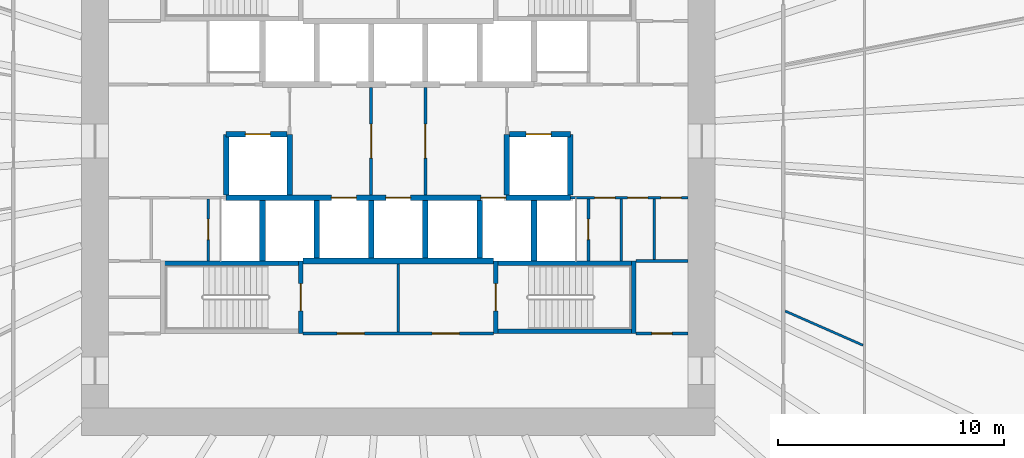
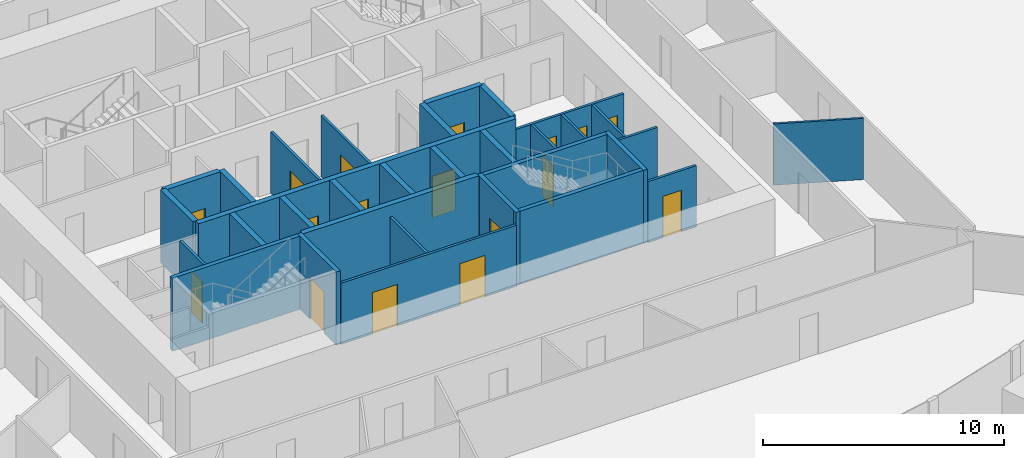
# One storey, part 7 of 11: 32 walls, 17 doors, 17 openings.
"""IFC4 building model written with IfcOpenShell, lengths in metres."""

import ifcopenshell
import ifcopenshell.guid

model = None  # the IFC model being written
_history = None  # IfcOwnerHistory: only IFC2X3 demands one
_inside = {}  # id of a spatial element -> (the spatial element, [elements in it])
_under = {}  # id of a project, library or spatial element -> (it, [spatial elements below it])
_declared = {}  # id of a project -> (the project, [libraries it declares])
_typed = {}  # id of a type object -> (the type object, [elements of that type])
_made_of = {}  # id of a material, layer set ... -> (it, [elements and type objects made of it])


def new_model(schema):
    """Start an empty IFC model of exactly this schema.

    Asked for "IFC4X3", IfcOpenShell would pick the latest addendum, in which some entities
    have other attributes; the version numbers below select the first issue.
    IFC2X3 requires an IfcOwnerHistory on every rooted entity: one is made here for all.
    """
    global model, _history
    if schema == "IFC4X3":
        model = ifcopenshell.file(schema_version=(4, 3, 0, 0))
    else:
        model = ifcopenshell.file(schema=schema)
    _inside.clear()
    _under.clear()
    _declared.clear()
    _typed.clear()
    _made_of.clear()
    _history = None
    if model.schema == "IFC2X3":
        org = make("IfcOrganization", Name="unknown")
        user = make(
            "IfcPersonAndOrganization",
            ThePerson=make("IfcPerson", FamilyName="unknown"),
            TheOrganization=org,
        )
        app = make(
            "IfcApplication",
            ApplicationDeveloper=org,
            Version="unknown",
            ApplicationFullName="unknown",
            ApplicationIdentifier="unknown",
        )
        _history = make(
            "IfcOwnerHistory",
            OwningUser=user,
            OwningApplication=app,
            ChangeAction="ADDED",
            CreationDate=0,
        )
    return model


def make(cls, **values):
    """One entity of the class cls with the attributes given. An attribute that is None is left unset."""
    return model.create_entity(
        cls, **{name: value for name, value in values.items() if value is not None}
    )


def rooted(cls, **values):
    """An entity with a GlobalId (a new one), such as an element, a storey or a relation."""
    return make(cls, GlobalId=ifcopenshell.guid.new(), OwnerHistory=_history, **values)


def si_unit(unit_type, name, prefix=None):
    """IfcSIUnit, for example si_unit("LENGTHUNIT", "METRE", prefix="MILLI")."""
    return make("IfcSIUnit", UnitType=unit_type, Prefix=prefix, Name=name)


def assignment(units):
    """IfcUnitAssignment: the units of a project."""
    return None if units is None else make("IfcUnitAssignment", Units=units)


def point(xyz):
    """IfcCartesianPoint."""
    return None if xyz is None else make("IfcCartesianPoint", Coordinates=xyz)


def direction(xyz):
    """IfcDirection."""
    return None if xyz is None else make("IfcDirection", DirectionRatios=xyz)


def frame(location, z_axis=None, x_axis=None):
    """IfcAxis2Placement3D, a coordinate frame: its origin and axes. An axis left out is left unset."""
    return make(
        "IfcAxis2Placement3D",
        Location=point(location),
        Axis=direction(z_axis),
        RefDirection=direction(x_axis),
    )


def frame_2d(location, x_axis=None):
    """IfcAxis2Placement2D, a coordinate frame in the plane: its origin and x axis."""
    return make(
        "IfcAxis2Placement2D", Location=point(location), RefDirection=direction(x_axis)
    )


def origin():
    """The frame at (0, 0, 0) with its axes left unset."""
    return frame((0.0, 0.0, 0.0))


def place(relative_to, where):
    """IfcLocalPlacement: puts the frame where relative to a parent placement (None: the world)."""
    return make(
        "IfcLocalPlacement", PlacementRelTo=relative_to, RelativePlacement=where
    )


def context(
    kind, dimensions, precision=None, world=None, true_north=None, identifier=None
):
    """IfcGeometricRepresentationContext, for example the 3D "Model" context."""
    return make(
        "IfcGeometricRepresentationContext",
        ContextIdentifier=identifier,
        ContextType=kind,
        CoordinateSpaceDimension=dimensions,
        Precision=precision,
        WorldCoordinateSystem=world,
        TrueNorth=true_north,
    )


def subcontext(parent, identifier, kind, view, scale=None):
    """IfcGeometricRepresentationSubContext, for example "Body" below "Model"."""
    return make(
        "IfcGeometricRepresentationSubContext",
        ContextIdentifier=identifier,
        ContextType=kind,
        ParentContext=parent,
        TargetScale=scale,
        TargetView=view,
    )


def project(units=None, contexts=None):
    """IfcProject with its units and contexts."""
    return rooted(
        "IfcProject",
        Name="project",
        RepresentationContexts=contexts,
        UnitsInContext=assignment(units),
    )


def spatial(cls, under=None, at=None, **own):
    """A site, building, storey or space (cls), placed at a placement, below another one or the project."""
    s = rooted(cls, ObjectPlacement=at, **own)
    if under is not None:
        _under.setdefault(under.id(), (under, []))[1].append(s)
    return s


def profile(cls, at=None, kind="AREA", **sizes):
    """A parametric profile (cls). Its sizes go by their IFC names, for example OverallWidth=200.0."""
    return make(cls, ProfileType=kind, Position=at, **sizes)


def rectangle(**sizes):
    """IfcRectangleProfileDef."""
    return profile("IfcRectangleProfileDef", **sizes)


def extrude(swept, where, along, depth):
    """IfcExtrudedAreaSolid: the profile swept, set in the frame where, extruded along a direction by depth."""
    return make(
        "IfcExtrudedAreaSolid",
        SweptArea=swept,
        Position=where,
        ExtrudedDirection=direction(along),
        Depth=depth,
    )


def shape(context_of_items, identifier, shape_type, items):
    """IfcShapeRepresentation: the items that make up one representation, for example the "Body"."""
    return make(
        "IfcShapeRepresentation",
        ContextOfItems=context_of_items,
        RepresentationIdentifier=identifier,
        RepresentationType=shape_type,
        Items=items,
    )


def source(mapping_origin, context_of_items, identifier, shape_type, items):
    """IfcRepresentationMap: a shape defined once, which mapped items show again and again."""
    return make(
        "IfcRepresentationMap",
        MappingOrigin=mapping_origin,
        MappedRepresentation=shape(context_of_items, identifier, shape_type, items),
    )


def transform(
    local_origin,
    x_axis=None,
    y_axis=None,
    z_axis=None,
    scale=None,
    scale2=None,
    scale3=None,
    uniform=True,
):
    """IfcCartesianTransformationOperator3D, or its non-uniform kind. x_axis, y_axis, z_axis: its Axis1, 2, 3."""
    if uniform:
        return make(
            "IfcCartesianTransformationOperator3D",
            Axis1=direction(x_axis),
            Axis2=direction(y_axis),
            LocalOrigin=point(local_origin),
            Scale=scale,
            Axis3=direction(z_axis),
        )
    return make(
        "IfcCartesianTransformationOperator3DnonUniform",
        Axis1=direction(x_axis),
        Axis2=direction(y_axis),
        LocalOrigin=point(local_origin),
        Scale=scale,
        Axis3=direction(z_axis),
        Scale2=scale2,
        Scale3=scale3,
    )


def mapped(mapping_source, mapping_target):
    """IfcMappedItem: shows the shape of a source again, moved by a transform."""
    return make(
        "IfcMappedItem", MappingSource=mapping_source, MappingTarget=mapping_target
    )


def material(Name=None, Category=None):
    """IfcMaterial."""
    return make("IfcMaterial", Name=Name, Category=Category)


def layer(
    of_material, thickness, ventilated=None, Name=None, Category=None, Priority=None
):
    """IfcMaterialLayer: one layer of a wall or slab, of a material (None: an air gap)."""
    return make(
        "IfcMaterialLayer",
        Material=of_material,
        LayerThickness=thickness,
        IsVentilated=ventilated,
        Name=Name,
        Category=Category,
        Priority=Priority,
    )


def layer_set(layers, Name=None):
    """IfcMaterialLayerSet."""
    return make("IfcMaterialLayerSet", MaterialLayers=layers, LayerSetName=Name)


def made_of(thing, what):
    """Note that an element or type object is made of a material, layer set ...; save() writes the relation."""
    if what is not None:
        _made_of.setdefault(what.id(), (what, []))[1].append(thing)
    return thing


def type_object(cls, material=None, **own):
    """A type object (cls), such as IfcWallType, which elements share."""
    return made_of(rooted(cls, **own), material)


def element(
    cls,
    number,
    at=None,
    inside=None,
    cuts=None,
    type_object=None,
    material=None,
    context=None,
    identifier="Body",
    shape_type=None,
    held_by="IfcProductDefinitionShape",
    body=None,
    shapes=None,
    **own,
):
    """One element of the class cls, such as IfcWall. Its Tag is "e" and its number.

    at: its placement. inside: the storey or other place that contains it. cuts: it is an
    opening in that element (IfcRelVoidsElement). A single representation is given by context,
    identifier, shape_type and body (its items); several are given by shapes. held_by: the class
    of the entity that holds the representations. save() writes the other relations.
    """
    e = rooted(cls, Tag="e%d" % number, ObjectPlacement=at, **own)
    if body is not None:
        shapes = [shape(context, identifier, shape_type, body)]
    if shapes is not None:
        e.Representation = make(held_by, Representations=shapes)
    if inside is not None:
        _inside.setdefault(inside.id(), (inside, []))[1].append(e)
    if cuts is not None:
        rooted(
            "IfcRelVoidsElement", RelatingBuildingElement=cuts, RelatedOpeningElement=e
        )
    if type_object is not None:
        _typed.setdefault(type_object.id(), (type_object, []))[1].append(e)
    return made_of(e, material)


def fill(opening, filler):
    """IfcRelFillsElement: the door or window that sits in an opening."""
    return rooted(
        "IfcRelFillsElement",
        RelatingOpeningElement=opening,
        RelatedBuildingElement=filler,
    )


def aggregate(whole, parts):
    """IfcRelAggregates: a whole, such as a stair, and the parts it consists of."""
    return rooted("IfcRelAggregates", RelatingObject=whole, RelatedObjects=parts)


def save(model, path):
    """Write the relations noted so far, then the file.

    IfcRelAggregates (storeys below a building ...), IfcRelContainedInSpatialStructure (elements
    in a storey), IfcRelDefinesByType, IfcRelAssociatesMaterial and IfcRelDeclares: one each for
    every whole, place, type object, material and project.
    """
    for whole, parts in _under.values():
        aggregate(whole, parts)
    for where, things in _inside.values():
        rooted(
            "IfcRelContainedInSpatialStructure",
            RelatedElements=things,
            RelatingStructure=where,
        )
    for kind, things in _typed.values():
        rooted("IfcRelDefinesByType", RelatedObjects=things, RelatingType=kind)
    for what, things in _made_of.values():
        rooted("IfcRelAssociatesMaterial", RelatedObjects=things, RelatingMaterial=what)
    for by, libraries in _declared.values():
        rooted("IfcRelDeclares", RelatingContext=by, RelatedDefinitions=libraries)
    model.write(path)


model = new_model("IFC4")

# Units and contexts
model_context = context("Model", 3, precision=1e-05, world=origin(), true_north=direction((0.0, 1.0)))
body_context = subcontext(model_context, "Body", "Model", "MODEL_VIEW")
ifc_project = project(units=[si_unit("LENGTHUNIT", "METRE"), si_unit("AREAUNIT", "SQUARE_METRE"), si_unit("VOLUMEUNIT", "CUBIC_METRE"), si_unit("PLANEANGLEUNIT", "RADIAN"), si_unit("MASSUNIT", "GRAM", prefix="KILO")], contexts=[model_context])

# Site, building, storey
site_placement = place(None, origin())
site = spatial("IfcSite", under=ifc_project, at=site_placement, CompositionType="ELEMENT")
building_placement = place(site_placement, origin())
building = spatial("IfcBuilding", under=site, at=building_placement, Name="Embergate Tower", CompositionType="ELEMENT")
storey_placement = place(building_placement, frame((0.0, 0.0, 58.10009765625)))
storey = spatial("IfcBuildingStorey", under=building, at=storey_placement, Name="L10", CompositionType="ELEMENT", Elevation=58.10009765625)

# Walls
ifc_material_1 = material(Name="Concrete C50", Category="concrete")
ifc_layer_1 = layer(ifc_material_1, 0.25)
ifc_layer_set_1 = layer_set([ifc_layer_1], Name="Concrete C50")
wall_type_1 = type_object("IfcWallType", Name="Hoistway wall reinforced concrete 250", PredefinedType="SHEAR", material=ifc_layer_set_1)
shared_shape_1 = source(origin(), body_context, "Body", "SweptSolid", [
    extrude(rectangle(XDim=2.675048828125, YDim=0.25, at=frame_2d((1.33740234375, 0.0))), origin(), (0.0, 0.0, 1.0), 3.699951171875),
])
for number, where, z_axis, x_axis, name in (
    (1, (-6.0, -5.300048828125, 0.0), (0.0, 0.0, 1.0), (0.0, 1.0, 0.0), "HW-1 wall"),
    (2, (6.0, -5.300048828125, 0.0), (0.0, 0.0, 1.0), (0.0, 1.0, 0.0), "HW-1 wall"),
    (3, (-4.800048828125, 0.300048828125, 0.0), (0.0, 0.0, 1.0), (0.0, -1.0, 0.0), "HW-1 wall"),
    (4, (4.800048828125, -2.375, 0.0), (0.0, 0.0, 1.0), (0.0, 1.0, 0.0), "HW-1 wall"),
):
    element("IfcWall", number, at=place(storey_placement, frame(where, z_axis=z_axis, x_axis=x_axis)), inside=storey, type_object=wall_type_1, Name=name, PredefinedType="SHEAR", context=body_context, shape_type="MappedRepresentation", body=[
        mapped(shared_shape_1, transform((0.0, 0.0, 0.0))),
    ])

# Wall, opening, door
wall_1_placement = place(storey_placement, frame((-4.925048828125, 0.300048828125, 0.0), z_axis=(0.0, 0.0, 1.0), x_axis=(-1.0, 0.0, 0.0)))
wall_1 = element("IfcWall", 5, at=wall_1_placement, inside=storey, type_object=wall_type_1, Name="HW-1 wall", PredefinedType="SHEAR", context=body_context, shape_type="MappedRepresentation", body=[
    mapped(shared_shape_1, transform((0.0, 0.0, 0.0))),
])
shared_shape_2 = source(origin(), body_context, "Body", "SweptSolid", [
    extrude(rectangle(XDim=1.10009765625, YDim=2.10009765625, at=frame_2d((0.550048828125, 1.050048828125))), frame((0.0, 0.135009765625, 0.0), z_axis=(0.0, -1.0, 0.0), x_axis=(1.0, 0.0, 0.0)), (0.0, 0.0, 1.0), 0.27001953125),
])
opening_1_placement = place(wall_1_placement, frame((0.72509765625, 0.0, 0.0)))
opening_1 = element("IfcOpeningElement", 6, at=opening_1_placement, cuts=wall_1, Name="Opening LD", PredefinedType="OPENING", context=body_context, shape_type="MappedRepresentation", body=[
    mapped(shared_shape_2, transform((0.0, 0.0, 0.0))),
])
ifc_material_2 = material(Name="Landing door sliding 1100")
door_type_1 = type_object("IfcDoorType", Name="Landing door sliding 1100", OperationType="SLIDING_TO_LEFT", PredefinedType="DOOR", material=ifc_material_2)
shared_shape_3 = source(origin(), body_context, "Body", "SweptSolid", [
    extrude(rectangle(XDim=1.10009765625, YDim=2.10009765625, at=frame_2d((0.550048828125, 1.050048828125))), frame((0.0, 0.02490234375, 0.0), z_axis=(0.0, -1.0, 0.0), x_axis=(1.0, 0.0, 0.0)), (0.0, 0.0, 1.0), 0.050048828125),
])
door_1_placement = place(opening_1_placement, origin())
door_1 = element("IfcDoor", 7, at=door_1_placement, inside=storey, type_object=door_type_1, Name="LD door", OperationType="SLIDING_TO_LEFT", OverallHeight=2.10009765625, OverallWidth=1.10009765625, PredefinedType="DOOR", context=body_context, shape_type="MappedRepresentation", body=[
    mapped(shared_shape_3, transform((0.0, 0.0, 0.0))),
])
fill(opening_1, door_1)

# Wall
wall_2_placement = place(storey_placement, frame((-7.60009765625, 0.300048828125, 0.0), z_axis=(0.0, 0.0, 1.0), x_axis=(0.0, -1.0, 0.0)))
element("IfcWall", 8, at=wall_2_placement, inside=storey, type_object=wall_type_1, Name="HW-1 wall", PredefinedType="SHEAR", context=body_context, shape_type="MappedRepresentation", body=[
    mapped(shared_shape_1, transform((0.0, 0.0, 0.0))),
])

# Wall, opening, door
wall_3_placement = place(storey_placement, frame((7.60009765625, 0.300048828125, 0.0), z_axis=(0.0, 0.0, 1.0), x_axis=(-1.0, 0.0, 0.0)))
wall_3 = element("IfcWall", 9, at=wall_3_placement, inside=storey, type_object=wall_type_1, Name="HW-1 wall", PredefinedType="SHEAR", context=body_context, shape_type="MappedRepresentation", body=[
    mapped(shared_shape_1, transform((0.0, 0.0, 0.0))),
])
opening_2_placement = place(wall_3_placement, frame((0.85009765625, 0.0, 0.0)))
opening_2 = element("IfcOpeningElement", 10, at=opening_2_placement, cuts=wall_3, Name="Opening LD", PredefinedType="OPENING", context=body_context, shape_type="MappedRepresentation", body=[
    mapped(shared_shape_2, transform((0.0, 0.0, 0.0))),
])
door_2_placement = place(opening_2_placement, origin())
door_2 = element("IfcDoor", 11, at=door_2_placement, inside=storey, type_object=door_type_1, Name="LD door", OperationType="SLIDING_TO_LEFT", OverallHeight=2.10009765625, OverallWidth=1.10009765625, PredefinedType="DOOR", context=body_context, shape_type="MappedRepresentation", body=[
    mapped(shared_shape_3, transform((0.0, 0.0, 0.0))),
])
fill(opening_2, door_2)

# Walls
wall_4_placement = place(storey_placement, frame((7.60009765625, -2.375, 0.0), z_axis=(0.0, 0.0, 1.0), x_axis=(0.0, 1.0, 0.0)))
element("IfcWall", 12, at=wall_4_placement, inside=storey, type_object=wall_type_1, Name="HW-1 wall", PredefinedType="SHEAR", context=body_context, shape_type="MappedRepresentation", body=[
    mapped(shared_shape_1, transform((0.0, 0.0, 0.0))),
])
ifc_layer_2 = layer(ifc_material_1, 0.199951171875)
ifc_layer_set_2 = layer_set([ifc_layer_2], Name="Concrete C50")
wall_type_2 = type_object("IfcWallType", Name="Stair enclosure wall reinforced concrete 250", PredefinedType="SHEAR", material=ifc_layer_set_2)
shared_shape_4 = source(origin(), body_context, "Body", "SweptSolid", [
    extrude(rectangle(XDim=6.300048828125, YDim=0.199951171875, at=frame_2d((3.14990234375, 0.0))), origin(), (0.0, 0.0, 1.0), 3.699951171875),
])
for number, where, z_axis, x_axis, name in (
    (13, (-10.5, -5.39990234375, 0.0), (0.0, 0.0, 1.0), (1.0, 0.0, 0.0), "SE-1 wall"),
    (14, (4.199951171875, -5.39990234375, 0.0), (0.0, 0.0, 1.0), (1.0, 0.0, 0.0), "SE-1 wall"),
    (15, (4.199951171875, -8.39990234375, 0.0), (0.0, 0.0, 1.0), (1.0, 0.0, 0.0), "SE-1 wall"),
):
    element("IfcWall", number, at=place(storey_placement, frame(where, z_axis=z_axis, x_axis=x_axis)), inside=storey, type_object=wall_type_2, Name=name, PredefinedType="SHEAR", context=body_context, shape_type="MappedRepresentation", body=[
        mapped(shared_shape_4, transform((0.0, 0.0, 0.0))),
    ])
shared_shape_5 = source(origin(), body_context, "Body", "SweptSolid", [
    extrude(rectangle(XDim=2.550048828125, YDim=0.25, at=frame_2d((1.27490234375, 0.0))), origin(), (0.0, 0.0, 1.0), 3.699951171875),
])
for number, where, z_axis, x_axis, name in (
    (16, (-3.60009765625, -5.175048828125, 0.0), (0.0, 0.0, 1.0), (0.0, 1.0, 0.0), "HW-1 wall"),
    (17, (-1.199951171875, -5.175048828125, 0.0), (0.0, 0.0, 1.0), (0.0, 1.0, 0.0), "HW-1 wall"),
    (18, (1.199951171875, -5.175048828125, 0.0), (0.0, 0.0, 1.0), (0.0, 1.0, 0.0), "HW-1 wall"),
    (19, (3.60009765625, -5.175048828125, 0.0), (0.0, 0.0, 1.0), (0.0, 1.0, 0.0), "HW-1 wall"),
):
    element("IfcWall", number, at=place(storey_placement, frame(where, z_axis=z_axis, x_axis=x_axis)), inside=storey, type_object=wall_type_1, Name=name, PredefinedType="SHEAR", context=body_context, shape_type="MappedRepresentation", body=[
        mapped(shared_shape_5, transform((0.0, 0.0, 0.0))),
    ])
shared_shape_6 = source(origin(), body_context, "Body", "SweptSolid", [
    extrude(rectangle(XDim=8.39990234375, YDim=0.25, at=frame_2d((4.199951171875, 0.0))), origin(), (0.0, 0.0, 1.0), 3.699951171875),
])
wall_5_placement = place(storey_placement, frame((-4.199951171875, -5.300048828125, 0.0), z_axis=(0.0, 0.0, 1.0), x_axis=(1.0, 0.0, 0.0)))
element("IfcWall", 20, at=wall_5_placement, inside=storey, type_object=wall_type_1, Name="HW-1 wall", PredefinedType="SHEAR", context=body_context, shape_type="MappedRepresentation", body=[
    mapped(shared_shape_6, transform((0.0, 0.0, 0.0))),
])

# Wall, openings, doors
shared_shape_7 = source(origin(), body_context, "Body", "SweptSolid", [
    extrude(rectangle(XDim=15.2001953125, YDim=0.25, at=frame_2d((7.60009765625, 0.0))), origin(), (0.0, 0.0, 1.0), 3.699951171875),
])
wall_6_placement = place(storey_placement, frame((7.60009765625, -2.5, 0.0), z_axis=(0.0, 0.0, 1.0), x_axis=(-1.0, 0.0, 0.0)))
wall_6 = element("IfcWall", 21, at=wall_6_placement, inside=storey, type_object=wall_type_1, Name="HW-1 wall", PredefinedType="SHEAR", context=body_context, shape_type="MappedRepresentation", body=[
    mapped(shared_shape_7, transform((0.0, 0.0, 0.0))),
])
opening_3_placement = place(wall_6_placement, frame((9.449951171875, 0.0, 0.0)))
opening_3 = element("IfcOpeningElement", 22, at=opening_3_placement, cuts=wall_6, Name="Opening LD", PredefinedType="OPENING", context=body_context, shape_type="MappedRepresentation", body=[
    mapped(shared_shape_2, transform((0.0, 0.0, 0.0))),
])
opening_4_placement = place(wall_6_placement, frame((7.050048828125, 0.0, 0.0)))
opening_4 = element("IfcOpeningElement", 23, at=opening_4_placement, cuts=wall_6, Name="Opening LD", PredefinedType="OPENING", context=body_context, shape_type="MappedRepresentation", body=[
    mapped(shared_shape_2, transform((0.0, 0.0, 0.0))),
])
opening_5_placement = place(wall_6_placement, frame((2.85009765625, 0.0, 0.0)))
opening_5 = element("IfcOpeningElement", 24, at=opening_5_placement, cuts=wall_6, Name="Opening LD", PredefinedType="OPENING", context=body_context, shape_type="MappedRepresentation", body=[
    mapped(shared_shape_2, transform((0.0, 0.0, 0.0))),
])
door_3_placement = place(opening_3_placement, origin())
door_3 = element("IfcDoor", 25, at=door_3_placement, inside=storey, type_object=door_type_1, Name="LD door", OperationType="SLIDING_TO_RIGHT", OverallHeight=2.10009765625, OverallWidth=1.10009765625, PredefinedType="DOOR", context=body_context, shape_type="MappedRepresentation", body=[
    mapped(shared_shape_3, transform((0.0, 0.0, 0.0))),
])
fill(opening_3, door_3)
door_4_placement = place(opening_4_placement, origin())
door_4 = element("IfcDoor", 26, at=door_4_placement, inside=storey, type_object=door_type_1, Name="LD door", OperationType="SLIDING_TO_RIGHT", OverallHeight=2.10009765625, OverallWidth=1.10009765625, PredefinedType="DOOR", context=body_context, shape_type="MappedRepresentation", body=[
    mapped(shared_shape_3, transform((0.0, 0.0, 0.0))),
])
fill(opening_4, door_4)
door_5_placement = place(opening_5_placement, origin())
door_5 = element("IfcDoor", 27, at=door_5_placement, inside=storey, type_object=door_type_1, Name="LD door", OperationType="SLIDING_TO_RIGHT", OverallHeight=2.10009765625, OverallWidth=1.10009765625, PredefinedType="DOOR", context=body_context, shape_type="MappedRepresentation", body=[
    mapped(shared_shape_3, transform((0.0, 0.0, 0.0))),
])
fill(opening_5, door_5)

# Wall, opening, door
shared_shape_8 = source(origin(), body_context, "Body", "SweptSolid", [
    extrude(rectangle(XDim=3.199951171875, YDim=0.199951171875, at=frame_2d((1.60009765625, 0.0))), origin(), (0.0, 0.0, 1.0), 3.699951171875),
])
wall_7_placement = place(storey_placement, frame((-4.300048828125, -8.5, 0.0), z_axis=(0.0, 0.0, 1.0), x_axis=(0.0, 1.0, 0.0)))
wall_7 = element("IfcWall", 28, at=wall_7_placement, inside=storey, type_object=wall_type_2, Name="SE-1 wall", PredefinedType="SHEAR", context=body_context, shape_type="MappedRepresentation", body=[
    mapped(shared_shape_8, transform((0.0, 0.0, 0.0))),
])
shared_shape_9 = source(origin(), body_context, "Body", "SweptSolid", [
    extrude(rectangle(XDim=1.199951171875, YDim=2.10009765625, at=frame_2d((0.60009765625, 1.050048828125))), frame((0.0, 0.10986328125, 0.0), z_axis=(0.0, -1.0, 0.0), x_axis=(1.0, 0.0, 0.0)), (0.0, 0.0, 1.0), 0.219970703125),
])
opening_6_placement = place(wall_7_placement, frame((1.0, 0.0, 0.0)))
opening_6 = element("IfcOpeningElement", 29, at=opening_6_placement, cuts=wall_7, Name="Opening IF-2", PredefinedType="OPENING", context=body_context, shape_type="MappedRepresentation", body=[
    mapped(shared_shape_9, transform((0.0, 0.0, 0.0))),
])
ifc_material_3 = material(Name="Stair enclosure door 1200")
door_type_2 = type_object("IfcDoorType", Name="Stair enclosure door 1200", OperationType="SINGLE_SWING_LEFT", PredefinedType="DOOR", material=ifc_material_3)
shared_shape_10 = source(origin(), body_context, "Body", "SweptSolid", [
    extrude(rectangle(XDim=1.199951171875, YDim=2.10009765625, at=frame_2d((0.60009765625, 1.050048828125))), frame((0.0, 0.02490234375, 0.0), z_axis=(0.0, -1.0, 0.0), x_axis=(1.0, 0.0, 0.0)), (0.0, 0.0, 1.0), 0.050048828125),
])
door_6_placement = place(opening_6_placement, origin())
door_6 = element("IfcDoor", 30, at=door_6_placement, inside=storey, type_object=door_type_2, Name="IF-2 door", OperationType="SINGLE_SWING_LEFT", OverallHeight=2.10009765625, OverallWidth=1.199951171875, PredefinedType="DOOR", context=body_context, shape_type="MappedRepresentation", body=[
    mapped(shared_shape_10, transform((0.0, 0.0, 0.0))),
])
fill(opening_6, door_6)

wall_8_placement = place(storey_placement, frame((4.300048828125, -5.300048828125, 0.0), z_axis=(0.0, 0.0, 1.0), x_axis=(0.0, -1.0, 0.0)))
wall_8 = element("IfcWall", 31, at=wall_8_placement, inside=storey, type_object=wall_type_2, Name="SE-1 wall", PredefinedType="SHEAR", context=body_context, shape_type="MappedRepresentation", body=[
    mapped(shared_shape_8, transform((0.0, 0.0, 0.0))),
])
opening_7_placement = place(wall_8_placement, frame((1.0, 0.0, 0.0)))
opening_7 = element("IfcOpeningElement", 32, at=opening_7_placement, cuts=wall_8, Name="Opening IF-2", PredefinedType="OPENING", context=body_context, shape_type="MappedRepresentation", body=[
    mapped(shared_shape_9, transform((0.0, 0.0, 0.0))),
])
door_7_placement = place(opening_7_placement, origin())
door_7 = element("IfcDoor", 33, at=door_7_placement, inside=storey, type_object=door_type_2, Name="IF-2 door", OperationType="SINGLE_SWING_LEFT", OverallHeight=2.10009765625, OverallWidth=1.199951171875, PredefinedType="DOOR", context=body_context, shape_type="MappedRepresentation", body=[
    mapped(shared_shape_10, transform((0.0, 0.0, 0.0))),
])
fill(opening_7, door_7)

# Wall
wall_9_placement = place(storey_placement, frame((10.39990234375, -8.5, 0.0), z_axis=(0.0, 0.0, 1.0), x_axis=(0.0, 1.0, 0.0)))
element("IfcWall", 34, at=wall_9_placement, inside=storey, type_object=wall_type_2, Name="SE-1 wall", PredefinedType="SHEAR", context=body_context, shape_type="MappedRepresentation", body=[
    mapped(shared_shape_8, transform((0.0, 0.0, 0.0))),
])

# Wall, opening, door
ifc_material_4 = material(Name="Core partition blockwork 120")
ifc_layer_3 = layer(ifc_material_4, 0.1201171875)
ifc_layer_set_3 = layer_set([ifc_layer_3], Name="Core partition blockwork 120")
wall_type_3 = type_object("IfcWallType", Name="Core partition blockwork 120", PredefinedType="PARTITIONING", material=ifc_layer_set_3)
shared_shape_11 = source(origin(), body_context, "Body", "SweptSolid", [
    extrude(rectangle(XDim=2.739990234375, YDim=0.1201171875, at=frame_2d((1.3701171875, 0.0))), origin(), (0.0, 0.0, 1.0), 3.099853515625),
])
wall_10_placement = place(storey_placement, frame((-8.39990234375, -2.56005859375, 0.0), z_axis=(0.0, 0.0, 1.0), x_axis=(0.0, -1.0, 0.0)))
wall_10 = element("IfcWall", 35, at=wall_10_placement, inside=storey, type_object=wall_type_3, Name="IP-3 wall", PredefinedType="PARTITIONING", context=body_context, shape_type="MappedRepresentation", body=[
    mapped(shared_shape_11, transform((0.0, 0.0, 0.0))),
])
shared_shape_12 = source(origin(), body_context, "Body", "SweptSolid", [
    extrude(rectangle(XDim=0.89990234375, YDim=2.10009765625, at=frame_2d((0.449951171875, 1.050048828125))), frame((0.0, 0.070068359375, 0.0), z_axis=(0.0, -1.0, 0.0), x_axis=(1.0, 0.0, 0.0)), (0.0, 0.0, 1.0), 0.14013671875),
])
opening_8_placement = place(wall_10_placement, frame((0.889892578125, 0.0, 0.0)))
opening_8 = element("IfcOpeningElement", 36, at=opening_8_placement, cuts=wall_10, Name="Opening ID-1", PredefinedType="OPENING", context=body_context, shape_type="MappedRepresentation", body=[
    mapped(shared_shape_12, transform((0.0, 0.0, 0.0))),
])
ifc_material_5 = material(Name="Interior door 900")
door_type_3 = type_object("IfcDoorType", Name="Interior door 900", OperationType="SINGLE_SWING_LEFT", PredefinedType="DOOR", material=ifc_material_5)
shared_shape_13 = source(origin(), body_context, "Body", "SweptSolid", [
    extrude(rectangle(XDim=0.89990234375, YDim=2.10009765625, at=frame_2d((0.449951171875, 1.050048828125))), frame((0.0, 0.02490234375, 0.0), z_axis=(0.0, -1.0, 0.0), x_axis=(1.0, 0.0, 0.0)), (0.0, 0.0, 1.0), 0.050048828125),
])
door_8_placement = place(opening_8_placement, origin())
door_8 = element("IfcDoor", 37, at=door_8_placement, inside=storey, type_object=door_type_3, Name="ID-1 door", OperationType="SINGLE_SWING_RIGHT", OverallHeight=2.10009765625, OverallWidth=0.89990234375, PredefinedType="DOOR", context=body_context, shape_type="MappedRepresentation", body=[
    mapped(shared_shape_13, transform((0.0, 0.0, 0.0))),
])
fill(opening_8, door_8)

wall_11_placement = place(storey_placement, frame((8.39990234375, -5.300048828125, 0.0), z_axis=(0.0, 0.0, 1.0), x_axis=(0.0, 1.0, 0.0)))
wall_11 = element("IfcWall", 38, at=wall_11_placement, inside=storey, type_object=wall_type_3, Name="IP-3 wall", PredefinedType="PARTITIONING", context=body_context, shape_type="MappedRepresentation", body=[
    mapped(shared_shape_11, transform((0.0, 0.0, 0.0))),
])
opening_9_placement = place(wall_11_placement, frame((0.949951171875, 0.0, 0.0)))
opening_9 = element("IfcOpeningElement", 39, at=opening_9_placement, cuts=wall_11, Name="Opening ID-1", PredefinedType="OPENING", context=body_context, shape_type="MappedRepresentation", body=[
    mapped(shared_shape_12, transform((0.0, 0.0, 0.0))),
])
door_9_placement = place(opening_9_placement, origin())
door_9 = element("IfcDoor", 40, at=door_9_placement, inside=storey, type_object=door_type_3, Name="ID-1 door", OperationType="SINGLE_SWING_RIGHT", OverallHeight=2.10009765625, OverallWidth=0.89990234375, PredefinedType="DOOR", context=body_context, shape_type="MappedRepresentation", body=[
    mapped(shared_shape_13, transform((0.0, 0.0, 0.0))),
])
fill(opening_9, door_9)

# Wall
wall_12_placement = place(storey_placement, frame((9.85205078125, -5.300048828125, 0.0), z_axis=(0.0, 0.0, 1.0), x_axis=(0.0, 1.0, 0.0)))
element("IfcWall", 41, at=wall_12_placement, inside=storey, type_object=wall_type_3, Name="IP-3 wall", PredefinedType="PARTITIONING", context=body_context, shape_type="MappedRepresentation", body=[
    mapped(shared_shape_11, transform((0.0, 0.0, 0.0))),
])

# Wall, openings, doors
shared_shape_14 = source(origin(), body_context, "Body", "SweptSolid", [
    extrude(rectangle(XDim=5.199951171875, YDim=0.1201171875, at=frame_2d((2.60009765625, 0.0))), origin(), (0.0, 0.0, 1.0), 3.099853515625),
])
wall_13_placement = place(storey_placement, frame((12.800048828125, -2.5, 0.0), z_axis=(0.0, 0.0, 1.0), x_axis=(-1.0, 0.0, 0.0)))
wall_13 = element("IfcWall", 42, at=wall_13_placement, inside=storey, type_object=wall_type_3, Name="IP-3 wall", PredefinedType="PARTITIONING", context=body_context, shape_type="MappedRepresentation", body=[
    mapped(shared_shape_14, transform((0.0, 0.0, 0.0))),
])
opening_10_placement = place(wall_13_placement, frame((3.22412109375, 0.0, 0.0)))
opening_10 = element("IfcOpeningElement", 43, at=opening_10_placement, cuts=wall_13, Name="Opening ID-1", PredefinedType="OPENING", context=body_context, shape_type="MappedRepresentation", body=[
    mapped(shared_shape_12, transform((0.0, 0.0, 0.0))),
])
opening_11_placement = place(wall_13_placement, frame((1.77197265625, 0.0, 0.0)))
opening_11 = element("IfcOpeningElement", 44, at=opening_11_placement, cuts=wall_13, Name="Opening ID-1", PredefinedType="OPENING", context=body_context, shape_type="MappedRepresentation", body=[
    mapped(shared_shape_12, transform((0.0, 0.0, 0.0))),
])
opening_12_placement = place(wall_13_placement, frame((0.298095703125, 0.0, 0.0)))
opening_12 = element("IfcOpeningElement", 45, at=opening_12_placement, cuts=wall_13, Name="Opening ID-1", PredefinedType="OPENING", context=body_context, shape_type="MappedRepresentation", body=[
    mapped(shared_shape_12, transform((0.0, 0.0, 0.0))),
])
door_10_placement = place(opening_10_placement, origin())
door_10 = element("IfcDoor", 46, at=door_10_placement, inside=storey, type_object=door_type_3, Name="ID-1 door", OperationType="SINGLE_SWING_RIGHT", OverallHeight=2.10009765625, OverallWidth=0.89990234375, PredefinedType="DOOR", context=body_context, shape_type="MappedRepresentation", body=[
    mapped(shared_shape_13, transform((0.0, 0.0, 0.0))),
])
fill(opening_10, door_10)
door_11_placement = place(opening_11_placement, origin())
door_11 = element("IfcDoor", 47, at=door_11_placement, inside=storey, type_object=door_type_3, Name="ID-1 door", OperationType="SINGLE_SWING_RIGHT", OverallHeight=2.10009765625, OverallWidth=0.89990234375, PredefinedType="DOOR", context=body_context, shape_type="MappedRepresentation", body=[
    mapped(shared_shape_13, transform((0.0, 0.0, 0.0))),
])
fill(opening_11, door_11)
door_12_placement = place(opening_12_placement, origin())
door_12 = element("IfcDoor", 48, at=door_12_placement, inside=storey, type_object=door_type_3, Name="ID-1 door", OperationType="SINGLE_SWING_RIGHT", OverallHeight=2.10009765625, OverallWidth=0.89990234375, PredefinedType="DOOR", context=body_context, shape_type="MappedRepresentation", body=[
    mapped(shared_shape_13, transform((0.0, 0.0, 0.0))),
])
fill(opening_12, door_12)

# Wall, opening, door
shared_shape_15 = source(origin(), body_context, "Body", "SweptSolid", [
    extrude(rectangle(XDim=4.75, YDim=0.1201171875, at=frame_2d((2.375, 0.0))), origin(), (0.0, 0.0, 1.0), 3.099853515625),
])
wall_14_placement = place(storey_placement, frame((-1.199951171875, -2.375, 0.0), z_axis=(0.0, 0.0, 1.0), x_axis=(0.0, 1.0, 0.0)))
wall_14 = element("IfcWall", 49, at=wall_14_placement, inside=storey, type_object=wall_type_3, Name="IP-3 wall", PredefinedType="PARTITIONING", context=body_context, shape_type="MappedRepresentation", body=[
    mapped(shared_shape_15, transform((0.0, 0.0, 0.0))),
])
shared_shape_16 = source(origin(), body_context, "Body", "SweptSolid", [
    extrude(rectangle(XDim=1.5, YDim=2.10009765625, at=frame_2d((0.75, 1.050048828125))), frame((0.0, 0.070068359375, 0.0), z_axis=(0.0, -1.0, 0.0), x_axis=(1.0, 0.0, 0.0)), (0.0, 0.0, 1.0), 0.14013671875),
])
opening_13_placement = place(wall_14_placement, frame((1.625, 0.0, 0.0)))
opening_13 = element("IfcOpeningElement", 50, at=opening_13_placement, cuts=wall_14, Name="Opening IF-3", PredefinedType="OPENING", context=body_context, shape_type="MappedRepresentation", body=[
    mapped(shared_shape_16, transform((0.0, 0.0, 0.0))),
])
ifc_material_6 = material(Name="Lobby fire door pair 1500")
door_type_4 = type_object("IfcDoorType", Name="Lobby fire door pair 1500", OperationType="DOUBLE_DOOR_SINGLE_SWING", PredefinedType="DOOR", material=ifc_material_6)
shared_shape_17 = source(origin(), body_context, "Body", "SweptSolid", [
    extrude(rectangle(XDim=1.5, YDim=2.10009765625, at=frame_2d((0.75, 1.050048828125))), frame((0.0, 0.02490234375, 0.0), z_axis=(0.0, -1.0, 0.0), x_axis=(1.0, 0.0, 0.0)), (0.0, 0.0, 1.0), 0.050048828125),
])
door_13_placement = place(opening_13_placement, origin())
door_13 = element("IfcDoor", 51, at=door_13_placement, inside=storey, type_object=door_type_4, Name="IF-3 door", OperationType="DOUBLE_DOOR_SINGLE_SWING", OverallHeight=2.10009765625, OverallWidth=1.5, PredefinedType="DOOR", context=body_context, shape_type="MappedRepresentation", body=[
    mapped(shared_shape_17, transform((0.0, 0.0, 0.0))),
])
fill(opening_13, door_13)

wall_15_placement = place(storey_placement, frame((1.199951171875, -2.375, 0.0), z_axis=(0.0, 0.0, 1.0), x_axis=(0.0, 1.0, 0.0)))
wall_15 = element("IfcWall", 52, at=wall_15_placement, inside=storey, type_object=wall_type_3, Name="IP-3 wall", PredefinedType="PARTITIONING", context=body_context, shape_type="MappedRepresentation", body=[
    mapped(shared_shape_15, transform((0.0, 0.0, 0.0))),
])
opening_14_placement = place(wall_15_placement, frame((1.625, 0.0, 0.0)))
opening_14 = element("IfcOpeningElement", 53, at=opening_14_placement, cuts=wall_15, Name="Opening IF-3", PredefinedType="OPENING", context=body_context, shape_type="MappedRepresentation", body=[
    mapped(shared_shape_16, transform((0.0, 0.0, 0.0))),
])
door_14_placement = place(opening_14_placement, origin())
door_14 = element("IfcDoor", 54, at=door_14_placement, inside=storey, type_object=door_type_4, Name="IF-3 door", OperationType="DOUBLE_DOOR_SINGLE_SWING", OverallHeight=2.10009765625, OverallWidth=1.5, PredefinedType="DOOR", context=body_context, shape_type="MappedRepresentation", body=[
    mapped(shared_shape_17, transform((0.0, 0.0, 0.0))),
])
fill(opening_14, door_14)

# Wall
shared_shape_18 = source(origin(), body_context, "Body", "SweptSolid", [
    extrude(rectangle(XDim=3.014892578125, YDim=0.1201171875, at=frame_2d((1.50732421875, 0.0))), origin(), (0.0, 0.0, 1.0), 3.099853515625),
])
wall_16_placement = place(storey_placement, frame((0.0, -8.43994140625, 0.0), z_axis=(0.0, 0.0, 1.0), x_axis=(0.0, 1.0, 0.0)))
element("IfcWall", 55, at=wall_16_placement, inside=storey, type_object=wall_type_3, Name="IP-3 wall", PredefinedType="PARTITIONING", context=body_context, shape_type="MappedRepresentation", body=[
    mapped(shared_shape_18, transform((0.0, 0.0, 0.0))),
])

# Wall, openings, doors
shared_shape_19 = source(origin(), body_context, "Body", "SweptSolid", [
    extrude(rectangle(XDim=8.39990234375, YDim=0.1201171875, at=frame_2d((4.199951171875, 0.0))), origin(), (0.0, 0.0, 1.0), 3.099853515625),
])
wall_17_placement = place(storey_placement, frame((-4.199951171875, -8.5, 0.0), z_axis=(0.0, 0.0, 1.0), x_axis=(1.0, 0.0, 0.0)))
wall_17 = element("IfcWall", 56, at=wall_17_placement, inside=storey, type_object=wall_type_3, Name="IP-3 wall", PredefinedType="PARTITIONING", context=body_context, shape_type="MappedRepresentation", body=[
    mapped(shared_shape_19, transform((0.0, 0.0, 0.0))),
])
shared_shape_20 = source(origin(), body_context, "Body", "SweptSolid", [
    extrude(rectangle(XDim=1.199951171875, YDim=2.10009765625, at=frame_2d((0.60009765625, 1.050048828125))), frame((0.0, 0.070068359375, 0.0), z_axis=(0.0, -1.0, 0.0), x_axis=(1.0, 0.0, 0.0)), (0.0, 0.0, 1.0), 0.14013671875),
])
opening_15_placement = place(wall_17_placement, frame((1.5, 0.0, 0.0)))
opening_15 = element("IfcOpeningElement", 57, at=opening_15_placement, cuts=wall_17, Name="Opening IF-3f", PredefinedType="OPENING", context=body_context, shape_type="MappedRepresentation", body=[
    mapped(shared_shape_20, transform((0.0, 0.0, 0.0))),
])
opening_16_placement = place(wall_17_placement, frame((5.699951171875, 0.0, 0.0)))
opening_16 = element("IfcOpeningElement", 58, at=opening_16_placement, cuts=wall_17, Name="Opening IF-3f", PredefinedType="OPENING", context=body_context, shape_type="MappedRepresentation", body=[
    mapped(shared_shape_20, transform((0.0, 0.0, 0.0))),
])
ifc_material_7 = material(Name="Lobby fire door pair 1200")
door_type_5 = type_object("IfcDoorType", Name="Lobby fire door pair 1200", OperationType="DOUBLE_DOOR_SINGLE_SWING", PredefinedType="DOOR", material=ifc_material_7)
door_15_placement = place(opening_15_placement, origin())
door_15 = element("IfcDoor", 59, at=door_15_placement, inside=storey, type_object=door_type_5, Name="IF-3 door", OperationType="DOUBLE_DOOR_SINGLE_SWING", OverallHeight=2.10009765625, OverallWidth=1.199951171875, PredefinedType="DOOR", context=body_context, shape_type="MappedRepresentation", body=[
    mapped(shared_shape_10, transform((0.0, 0.0, 0.0))),
])
fill(opening_15, door_15)
door_16_placement = place(opening_16_placement, origin())
door_16 = element("IfcDoor", 60, at=door_16_placement, inside=storey, type_object=door_type_5, Name="IF-3 door", OperationType="DOUBLE_DOOR_SINGLE_SWING", OverallHeight=2.10009765625, OverallWidth=1.199951171875, PredefinedType="DOOR", context=body_context, shape_type="MappedRepresentation", body=[
    mapped(shared_shape_10, transform((0.0, 0.0, 0.0))),
])
fill(opening_16, door_16)

# Wall, opening, door
shared_shape_21 = source(origin(), body_context, "Body", "SweptSolid", [
    extrude(rectangle(XDim=2.300048828125, YDim=0.1201171875, at=frame_2d((1.14990234375, 0.0))), origin(), (0.0, 0.0, 1.0), 3.099853515625),
])
wall_18_placement = place(storey_placement, frame((12.800048828125, -8.5, 0.0), z_axis=(0.0, 0.0, 1.0), x_axis=(-1.0, 0.0, 0.0)))
wall_18 = element("IfcWall", 61, at=wall_18_placement, inside=storey, type_object=wall_type_3, Name="IP-3 wall", PredefinedType="PARTITIONING", context=body_context, shape_type="MappedRepresentation", body=[
    mapped(shared_shape_21, transform((0.0, 0.0, 0.0))),
])
opening_17_placement = place(wall_18_placement, frame((0.699951171875, 0.0, 0.0)))
opening_17 = element("IfcOpeningElement", 62, at=opening_17_placement, cuts=wall_18, Name="Opening ID-1", PredefinedType="OPENING", context=body_context, shape_type="MappedRepresentation", body=[
    mapped(shared_shape_12, transform((0.0, 0.0, 0.0))),
])
door_17_placement = place(opening_17_placement, origin())
door_17 = element("IfcDoor", 63, at=door_17_placement, inside=storey, type_object=door_type_3, Name="ID-1 door", OperationType="SINGLE_SWING_RIGHT", OverallHeight=2.10009765625, OverallWidth=0.89990234375, PredefinedType="DOOR", context=body_context, shape_type="MappedRepresentation", body=[
    mapped(shared_shape_13, transform((0.0, 0.0, 0.0))),
])
fill(opening_17, door_17)

# Walls
wall_19_placement = place(storey_placement, frame((10.5, -5.300048828125, 0.0), z_axis=(0.0, 0.0, 1.0), x_axis=(1.0, 0.0, 0.0)))
element("IfcWall", 64, at=wall_19_placement, inside=storey, type_object=wall_type_3, Name="IP-3 wall", PredefinedType="PARTITIONING", context=body_context, shape_type="MappedRepresentation", body=[
    mapped(shared_shape_21, transform((0.0, 0.0, 0.0))),
])
shared_shape_22 = source(origin(), body_context, "Body", "SweptSolid", [
    extrude(rectangle(XDim=2.679931640625, YDim=0.1201171875, at=frame_2d((1.33984375, 0.0))), origin(), (0.0, 0.0, 1.0), 3.099853515625),
])
wall_20_placement = place(storey_placement, frame((11.303955078125, -5.239990234375, 0.0), z_axis=(0.0, 0.0, 1.0), x_axis=(0.0, 1.0, 0.0)))
element("IfcWall", 65, at=wall_20_placement, inside=storey, type_object=wall_type_3, Name="IP-3 wall", PredefinedType="PARTITIONING", context=body_context, shape_type="MappedRepresentation", body=[
    mapped(shared_shape_22, transform((0.0, 0.0, 0.0))),
])
ifc_material_8 = material(Name="Partition dry-lined 100")
ifc_layer_4 = layer(ifc_material_8, 0.10009765625)
ifc_layer_set_4 = layer_set([ifc_layer_4], Name="Partition dry-lined 100")
wall_type_4 = type_object("IfcWallType", Name="Partition dry-lined 100", PredefinedType="PARTITIONING", material=ifc_layer_set_4)
shared_shape_23 = source(origin(), body_context, "Body", "SweptSolid", [
    extrude(rectangle(XDim=3.752197265625, YDim=0.10009765625, at=frame_2d((1.8759765625, 0.0))), origin(), (0.0, 0.0, 1.0), 3.099853515625),
])
wall_21_placement = place(storey_placement, frame((17.094970703125, -7.510009765625, 0.0), z_axis=(0.0, 0.0, 1.0), x_axis=(0.915454089735, -0.402422426795, 0.0)))
element("IfcWall", 66, at=wall_21_placement, inside=storey, type_object=wall_type_4, Name="IP-1 wall", PredefinedType="PARTITIONING", context=body_context, shape_type="MappedRepresentation", body=[
    mapped(shared_shape_23, transform((0.0, 0.0, 0.0))),
])

save(model, "model.ifc")
